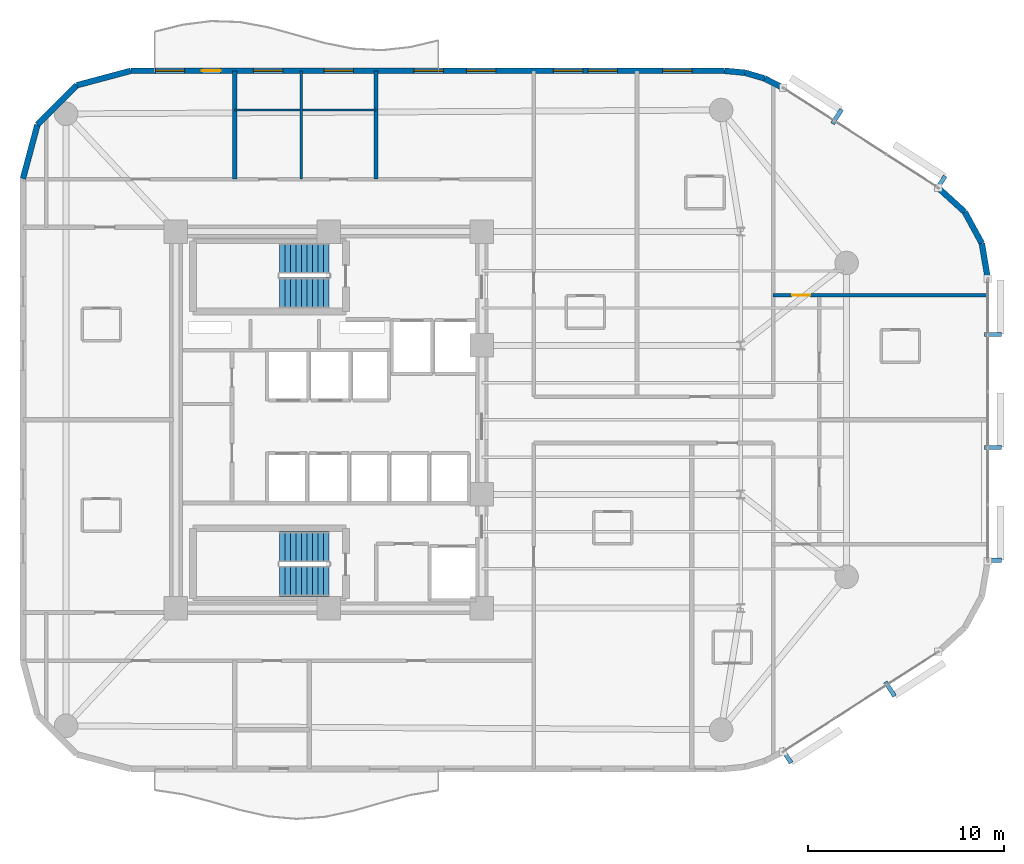
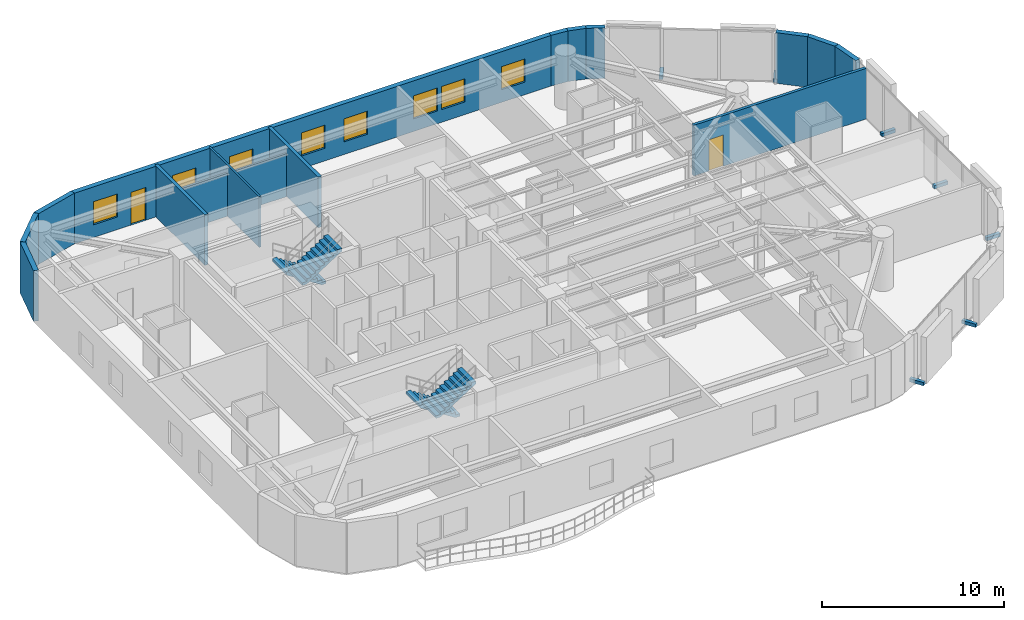
# One storey, part 13 of 15: 15 walls, 8 windows, 7 discrete accessories, 4 stair flights, 2 doors, 10 openings, 2 elements without a shape of their own.
"""IFC4 building model written with IfcOpenShell, lengths in metres."""

from ifc_helpers import new_model, si_unit, direction, frame, frame_2d, origin, origin_2d, place, context, subcontext, project, spatial, polyline, rectangle, outline, extrude, material, layer, layer_set, type_object, element, fill, aggregate, save


model = new_model("IFC4")

# Units and contexts
model_context = context("Model", 3, precision=1e-05, world=origin(), true_north=direction((0.0, 1.0)))
body_context = subcontext(model_context, "Body", "Model", "MODEL_VIEW")
ifc_project = project(units=[si_unit("LENGTHUNIT", "METRE"), si_unit("AREAUNIT", "SQUARE_METRE"), si_unit("VOLUMEUNIT", "CUBIC_METRE"), si_unit("PLANEANGLEUNIT", "RADIAN"), si_unit("MASSUNIT", "GRAM", prefix="KILO")], contexts=[model_context])

# Site, building, storey
site_placement = place(None, origin())
site = spatial("IfcSite", under=ifc_project, at=site_placement, CompositionType="ELEMENT")
building_placement = place(site_placement, origin())
building = spatial("IfcBuilding", under=site, at=building_placement, Name="An Khanh Terracotta Commons", CompositionType="ELEMENT")
storey_placement = place(building_placement, frame((0.0, 0.0, 143.800048828125)))
storey = spatial("IfcBuildingStorey", under=building, at=storey_placement, Name="L37", CompositionType="ELEMENT", Elevation=143.800048828125)

# Wall, opening, door
ifc_material_1 = material(Name="Fire-Rated Gypsum Board on Steel Stud", Category="steel")
ifc_layer_1 = layer(ifc_material_1, 0.179931640625, Name="Fire-Rated Gypsum Board on Steel Stud")
ifc_layer_set_1 = layer_set([ifc_layer_1], Name="Fire-Rated Gypsum Board on Steel Stud")
wall_type_1 = type_object("IfcWallType", Name="WALL-CORR-180", PredefinedType="PARTITIONING", material=ifc_layer_set_1)
wall_1_placement = place(storey_placement, frame((52.050048828125, 30.35009765625, 0.0), z_axis=(0.0, 0.0, 1.0), x_axis=(1.0, 0.0, 0.0)))
wall_1 = element("IfcWall", 1, at=wall_1_placement, inside=storey, type_object=wall_type_1, Name="L37 Interior Partition IW-L37-E009", PredefinedType="PARTITIONING", context=body_context, shape_type="SweptSolid", body=[
    extrude(rectangle(XDim=10.949951171875, YDim=0.179931640625, at=frame_2d((5.47509765625, 0.0))), origin(), (0.0, 0.0, 1.0), 3.39990234375),
])
opening_1_placement = place(wall_1_placement, frame((0.97509765625, 0.0, 0.0)))
opening_1 = element("IfcOpeningElement", 2, at=opening_1_placement, cuts=wall_1, Name="Opening D-RM", PredefinedType="OPENING", context=body_context, shape_type="SweptSolid", body=[
    extrude(rectangle(XDim=0.919921875, YDim=2.10009765625, at=frame_2d((0.4599609375, 1.050048828125))), frame((0.0, 0.099853515625, 0.0), z_axis=(0.0, -1.0, 0.0), x_axis=(1.0, 0.0, 0.0)), (0.0, 0.0, 1.0), 0.199951171875),
])
ifc_material_2 = material(Name="Engineered Hardwood Timber Leaf", Category="wood")
door_type_1 = type_object("IfcDoorType", Name="DOOR-INT-920", OperationType="NOTDEFINED", PredefinedType="DOOR", material=ifc_material_2)
door_1_placement = place(opening_1_placement, origin())
door_1 = element("IfcDoor", 3, at=door_1_placement, inside=storey, type_object=door_type_1, Name="L37 CAPN Quiet Focus Office Door", OperationType="SINGLE_SWING_LEFT", OverallHeight=2.10009765625, OverallWidth=0.919921875, PredefinedType="DOOR", context=body_context, shape_type="SweptSolid", body=[
    extrude(rectangle(XDim=0.919921875, YDim=2.10009765625, at=frame_2d((0.4599609375, 1.050048828125))), frame((0.0, 0.02490234375, 0.0), z_axis=(0.0, -1.0, 0.0), x_axis=(1.0, 0.0, 0.0)), (0.0, 0.0, 1.0), 0.050048828125),
])
fill(opening_1, door_1)

# Walls
ifc_material_3 = material(Name="Precast concrete C40/50", Category="concrete")
ifc_layer_2 = layer(ifc_material_3, 0.300048828125, Name="Precast concrete C40/50")
ifc_layer_set_2 = layer_set([ifc_layer_2], Name="Precast concrete C40/50")
wall_type_2 = type_object("IfcWallType", Name="WALL-EXT-300", PredefinedType="SOLIDWALL", material=ifc_layer_set_2)
wall_2_placement = place(storey_placement, frame((63.0, 31.199951171875, 0.0), z_axis=(0.0, 0.0, 1.0), x_axis=(-0.165724081207, 0.986172159873, 0.0)))
element("IfcWall", 4, at=wall_2_placement, inside=storey, type_object=wall_type_2, Name="L37 Insulated Terracotta Exterior Wall 13", PredefinedType="SOLIDWALL", context=body_context, shape_type="SweptSolid", body=[
    extrude(rectangle(XDim=1.822265625, YDim=0.300048828125, at=frame_2d((0.9111328125, 0.0))), origin(), (0.0, 0.0, 1.0), 3.39990234375),
])
wall_3_placement = place(storey_placement, frame((62.697998046875, 32.9970703125, 0.0), z_axis=(0.0, 0.0, 1.0), x_axis=(-0.478608030646, 0.878028674362, 0.0)))
element("IfcWall", 5, at=wall_3_placement, inside=storey, type_object=wall_type_2, Name="L37 Insulated Terracotta Exterior Wall 14", PredefinedType="SOLIDWALL", context=body_context, shape_type="SweptSolid", body=[
    extrude(rectangle(XDim=1.822021484375, YDim=0.300048828125, at=frame_2d((0.9111328125, 0.0))), origin(), (0.0, 0.0, 1.0), 3.39990234375),
])
wall_4_placement = place(storey_placement, frame((61.825927734375, 34.596923828125, 0.0), z_axis=(0.0, 0.0, 1.0), x_axis=(-0.73947929393, 0.673179302897, 0.0)))
element("IfcWall", 6, at=wall_4_placement, inside=storey, type_object=wall_type_2, Name="L37 Insulated Terracotta Exterior Wall 15", PredefinedType="SOLIDWALL", context=body_context, shape_type="SweptSolid", body=[
    extrude(rectangle(XDim=1.82275390625, YDim=0.300048828125, at=frame_2d((0.911376953125, 0.0))), origin(), (0.0, 0.0, 1.0), 3.39990234375),
])
wall_5_placement = place(storey_placement, frame((52.56005859375, 40.924072265625, 0.0), z_axis=(0.0, 0.0, 1.0), x_axis=(-0.888283247196, 0.459296062198, 0.0)))
element("IfcWall", 7, at=wall_5_placement, inside=storey, type_object=wall_type_2, Name="L37 Insulated Terracotta Exterior Wall 17", PredefinedType="SOLIDWALL", context=body_context, shape_type="SweptSolid", body=[
    extrude(rectangle(XDim=1.047119140625, YDim=0.300048828125, at=frame_2d((0.5234375, 0.0))), origin(), (0.0, 0.0, 1.0), 3.39990234375),
])
wall_6_placement = place(storey_placement, frame((51.6298828125, 41.405029296875, 0.0), z_axis=(0.0, 0.0, 1.0), x_axis=(-0.959528674476, 0.281610942363, 0.0)))
element("IfcWall", 8, at=wall_6_placement, inside=storey, type_object=wall_type_2, Name="L37 Insulated Terracotta Exterior Wall 18", PredefinedType="SOLIDWALL", context=body_context, shape_type="SweptSolid", body=[
    extrude(rectangle(XDim=1.04736328125, YDim=0.300048828125, at=frame_2d((0.523681640625, 0.0))), origin(), (0.0, 0.0, 1.0), 3.39990234375),
])
wall_7_placement = place(storey_placement, frame((50.625, 41.699951171875, 0.0), z_axis=(0.0, 0.0, 1.0), x_axis=(-0.995426089968, 0.095534807324, 0.0)))
element("IfcWall", 9, at=wall_7_placement, inside=storey, type_object=wall_type_2, Name="L37 Insulated Terracotta Exterior Wall 19", PredefinedType="SOLIDWALL", context=body_context, shape_type="SweptSolid", body=[
    extrude(rectangle(XDim=1.0478515625, YDim=0.300048828125, at=frame_2d((0.52392578125, 0.0))), origin(), (0.0, 0.0, 1.0), 3.39990234375),
])

# Wall, openings, door, windows
wall_8_placement = place(storey_placement, frame((49.58203125, 41.800048828125, 0.0), z_axis=(0.0, 0.0, 1.0), x_axis=(-1.0, 0.0, 0.0)))
wall_8 = element("IfcWall", 10, at=wall_8_placement, inside=storey, type_object=wall_type_2, Name="L37 Insulated Terracotta Exterior Wall 20", PredefinedType="SOLIDWALL", context=body_context, shape_type="SweptSolid", body=[
    extrude(rectangle(XDim=30.281982421875, YDim=0.300048828125, at=frame_2d((15.14111328125, 0.0))), origin(), (0.0, 0.0, 1.0), 3.39990234375),
])
opening_2_placement = place(wall_8_placement, frame((25.70703125, 0.0, 0.0)))
opening_2 = element("IfcOpeningElement", 11, at=opening_2_placement, cuts=wall_8, Name="Opening D-BAL", PredefinedType="OPENING", context=body_context, shape_type="SweptSolid", body=[
    extrude(rectangle(XDim=0.949951171875, YDim=2.199951171875, at=frame_2d((0.47509765625, 1.10009765625))), frame((0.0, 0.159912109375, 0.0), z_axis=(0.0, -1.0, 0.0), x_axis=(1.0, 0.0, 0.0)), (0.0, 0.0, 1.0), 0.320068359375),
])
opening_3_placement = place(wall_8_placement, frame((1.660888671875, 0.0, 0.85009765625)))
opening_3 = element("IfcOpeningElement", 12, at=opening_3_placement, cuts=wall_8, Name="Opening W-03", PredefinedType="OPENING", context=body_context, shape_type="SweptSolid", body=[
    extrude(rectangle(XDim=1.5, YDim=1.550048828125, at=frame_2d((0.75, 0.77490234375))), frame((0.0, 0.159912109375, 0.0), z_axis=(0.0, -1.0, 0.0), x_axis=(1.0, 0.0, 0.0)), (0.0, 0.0, 1.0), 0.320068359375),
])
opening_4_placement = place(wall_8_placement, frame((5.47607421875, 0.0, 0.85009765625)))
opening_4 = element("IfcOpeningElement", 13, at=opening_4_placement, cuts=wall_8, Name="Opening W-03", PredefinedType="OPENING", context=body_context, shape_type="SweptSolid", body=[
    extrude(rectangle(XDim=1.5, YDim=1.550048828125, at=frame_2d((0.75, 0.77490234375))), frame((0.0, 0.159912109375, 0.0), z_axis=(0.0, -1.0, 0.0), x_axis=(1.0, 0.0, 0.0)), (0.0, 0.0, 1.0), 0.320068359375),
])
opening_5_placement = place(wall_8_placement, frame((7.22900390625, 0.0, 0.85009765625)))
opening_5 = element("IfcOpeningElement", 14, at=opening_5_placement, cuts=wall_8, Name="Opening W-03", PredefinedType="OPENING", context=body_context, shape_type="SweptSolid", body=[
    extrude(rectangle(XDim=1.5, YDim=1.550048828125, at=frame_2d((0.75, 0.77490234375))), frame((0.0, 0.159912109375, 0.0), z_axis=(0.0, -1.0, 0.0), x_axis=(1.0, 0.0, 0.0)), (0.0, 0.0, 1.0), 0.320068359375),
])
opening_6_placement = place(wall_8_placement, frame((11.6650390625, 0.0, 0.85009765625)))
opening_6 = element("IfcOpeningElement", 15, at=opening_6_placement, cuts=wall_8, Name="Opening W-03", PredefinedType="OPENING", context=body_context, shape_type="SweptSolid", body=[
    extrude(rectangle(XDim=1.5, YDim=1.550048828125, at=frame_2d((0.75, 0.77490234375))), frame((0.0, 0.159912109375, 0.0), z_axis=(0.0, -1.0, 0.0), x_axis=(1.0, 0.0, 0.0)), (0.0, 0.0, 1.0), 0.320068359375),
])
opening_7_placement = place(wall_8_placement, frame((14.34912109375, 0.0, 0.85009765625)))
opening_7 = element("IfcOpeningElement", 16, at=opening_7_placement, cuts=wall_8, Name="Opening W-03", PredefinedType="OPENING", context=body_context, shape_type="SweptSolid", body=[
    extrude(rectangle(XDim=1.5, YDim=1.550048828125, at=frame_2d((0.75, 0.77490234375))), frame((0.0, 0.159912109375, 0.0), z_axis=(0.0, -1.0, 0.0), x_axis=(1.0, 0.0, 0.0)), (0.0, 0.0, 1.0), 0.320068359375),
])
opening_8_placement = place(wall_8_placement, frame((18.931884765625, 0.0, 0.85009765625)))
opening_8 = element("IfcOpeningElement", 17, at=opening_8_placement, cuts=wall_8, Name="Opening W-03", PredefinedType="OPENING", context=body_context, shape_type="SweptSolid", body=[
    extrude(rectangle(XDim=1.5, YDim=1.550048828125, at=frame_2d((0.75, 0.77490234375))), frame((0.0, 0.159912109375, 0.0), z_axis=(0.0, -1.0, 0.0), x_axis=(1.0, 0.0, 0.0)), (0.0, 0.0, 1.0), 0.320068359375),
])
opening_9_placement = place(wall_8_placement, frame((22.531982421875, 0.0, 0.85009765625)))
opening_9 = element("IfcOpeningElement", 18, at=opening_9_placement, cuts=wall_8, Name="Opening W-03", PredefinedType="OPENING", context=body_context, shape_type="SweptSolid", body=[
    extrude(rectangle(XDim=1.5, YDim=1.550048828125, at=frame_2d((0.75, 0.77490234375))), frame((0.0, 0.159912109375, 0.0), z_axis=(0.0, -1.0, 0.0), x_axis=(1.0, 0.0, 0.0)), (0.0, 0.0, 1.0), 0.320068359375),
])
opening_10_placement = place(wall_8_placement, frame((27.531982421875, 0.0, 0.85009765625)))
opening_10 = element("IfcOpeningElement", 19, at=opening_10_placement, cuts=wall_8, Name="Opening W-03", PredefinedType="OPENING", context=body_context, shape_type="SweptSolid", body=[
    extrude(rectangle(XDim=1.5, YDim=1.550048828125, at=frame_2d((0.75, 0.77490234375))), frame((0.0, 0.159912109375, 0.0), z_axis=(0.0, -1.0, 0.0), x_axis=(1.0, 0.0, 0.0)), (0.0, 0.0, 1.0), 0.320068359375),
])
ifc_material_4 = material(Name="Thermally Broken Aluminium and Low-E Glass", Category="aluminium")
door_type_2 = type_object("IfcDoorType", Name="DOOR-BALC-950", OperationType="NOTDEFINED", PredefinedType="DOOR", material=ifc_material_4)
door_2_placement = place(opening_2_placement, origin())
door_2 = element("IfcDoor", 20, at=door_2_placement, inside=storey, type_object=door_type_2, Name="L37 N Wave Balcony Glazed Door", OperationType="SINGLE_SWING_RIGHT", OverallHeight=2.199951171875, OverallWidth=0.949951171875, PredefinedType="DOOR", context=body_context, shape_type="SweptSolid", body=[
    extrude(rectangle(XDim=0.949951171875, YDim=2.199951171875, at=frame_2d((0.47509765625, 1.10009765625))), frame((0.0, 0.02490234375, 0.0), z_axis=(0.0, -1.0, 0.0), x_axis=(1.0, 0.0, 0.0)), (0.0, 0.0, 1.0), 0.050048828125),
])
fill(opening_2, door_2)
window_type = type_object("IfcWindowType", Name="WIN-Z3-1500x1550", PartitioningType="DOUBLE_PANEL_VERTICAL", PredefinedType="WINDOW", material=ifc_material_4)
window_1_placement = place(opening_3_placement, origin())
window_1 = element("IfcWindow", 21, at=window_1_placement, inside=storey, type_object=window_type, Name="L37 Operable Casement Window 20.1", OverallHeight=1.550048828125, OverallWidth=1.5, PartitioningType="DOUBLE_PANEL_VERTICAL", PredefinedType="WINDOW", context=body_context, shape_type="SweptSolid", body=[
    extrude(rectangle(XDim=1.5, YDim=1.550048828125, at=frame_2d((0.75, 0.77490234375))), frame((0.0, 0.030029296875, 0.0), z_axis=(0.0, -1.0, 0.0), x_axis=(1.0, 0.0, 0.0)), (0.0, 0.0, 1.0), 0.06005859375),
])
fill(opening_3, window_1)
window_2_placement = place(opening_4_placement, origin())
window_2 = element("IfcWindow", 22, at=window_2_placement, inside=storey, type_object=window_type, Name="L37 Operable Casement Window 20.2", OverallHeight=1.550048828125, OverallWidth=1.5, PartitioningType="DOUBLE_PANEL_VERTICAL", PredefinedType="WINDOW", context=body_context, shape_type="SweptSolid", body=[
    extrude(rectangle(XDim=1.5, YDim=1.550048828125, at=frame_2d((0.75, 0.77490234375))), frame((0.0, 0.030029296875, 0.0), z_axis=(0.0, -1.0, 0.0), x_axis=(1.0, 0.0, 0.0)), (0.0, 0.0, 1.0), 0.06005859375),
])
fill(opening_4, window_2)
window_3_placement = place(opening_5_placement, origin())
window_3 = element("IfcWindow", 23, at=window_3_placement, inside=storey, type_object=window_type, Name="L37 Operable Casement Window 20.3", OverallHeight=1.550048828125, OverallWidth=1.5, PartitioningType="DOUBLE_PANEL_VERTICAL", PredefinedType="WINDOW", context=body_context, shape_type="SweptSolid", body=[
    extrude(rectangle(XDim=1.5, YDim=1.550048828125, at=frame_2d((0.75, 0.77490234375))), frame((0.0, 0.030029296875, 0.0), z_axis=(0.0, -1.0, 0.0), x_axis=(1.0, 0.0, 0.0)), (0.0, 0.0, 1.0), 0.06005859375),
])
fill(opening_5, window_3)
window_4_placement = place(opening_6_placement, origin())
window_4 = element("IfcWindow", 24, at=window_4_placement, inside=storey, type_object=window_type, Name="L37 Operable Casement Window 20.4", OverallHeight=1.550048828125, OverallWidth=1.5, PartitioningType="DOUBLE_PANEL_VERTICAL", PredefinedType="WINDOW", context=body_context, shape_type="SweptSolid", body=[
    extrude(rectangle(XDim=1.5, YDim=1.550048828125, at=frame_2d((0.75, 0.77490234375))), frame((0.0, 0.030029296875, 0.0), z_axis=(0.0, -1.0, 0.0), x_axis=(1.0, 0.0, 0.0)), (0.0, 0.0, 1.0), 0.06005859375),
])
fill(opening_6, window_4)
window_5_placement = place(opening_7_placement, origin())
window_5 = element("IfcWindow", 25, at=window_5_placement, inside=storey, type_object=window_type, Name="L37 Operable Casement Window 20.5", OverallHeight=1.550048828125, OverallWidth=1.5, PartitioningType="DOUBLE_PANEL_VERTICAL", PredefinedType="WINDOW", context=body_context, shape_type="SweptSolid", body=[
    extrude(rectangle(XDim=1.5, YDim=1.550048828125, at=frame_2d((0.75, 0.77490234375))), frame((0.0, 0.030029296875, 0.0), z_axis=(0.0, -1.0, 0.0), x_axis=(1.0, 0.0, 0.0)), (0.0, 0.0, 1.0), 0.06005859375),
])
fill(opening_7, window_5)
window_6_placement = place(opening_8_placement, origin())
window_6 = element("IfcWindow", 26, at=window_6_placement, inside=storey, type_object=window_type, Name="L37 Operable Casement Window 20.6", OverallHeight=1.550048828125, OverallWidth=1.5, PartitioningType="DOUBLE_PANEL_VERTICAL", PredefinedType="WINDOW", context=body_context, shape_type="SweptSolid", body=[
    extrude(rectangle(XDim=1.5, YDim=1.550048828125, at=frame_2d((0.75, 0.77490234375))), frame((0.0, 0.030029296875, 0.0), z_axis=(0.0, -1.0, 0.0), x_axis=(1.0, 0.0, 0.0)), (0.0, 0.0, 1.0), 0.06005859375),
])
fill(opening_8, window_6)
window_7_placement = place(opening_9_placement, origin())
window_7 = element("IfcWindow", 27, at=window_7_placement, inside=storey, type_object=window_type, Name="L37 Operable Casement Window 20.7", OverallHeight=1.550048828125, OverallWidth=1.5, PartitioningType="DOUBLE_PANEL_VERTICAL", PredefinedType="WINDOW", context=body_context, shape_type="SweptSolid", body=[
    extrude(rectangle(XDim=1.5, YDim=1.550048828125, at=frame_2d((0.75, 0.77490234375))), frame((0.0, 0.030029296875, 0.0), z_axis=(0.0, -1.0, 0.0), x_axis=(1.0, 0.0, 0.0)), (0.0, 0.0, 1.0), 0.06005859375),
])
fill(opening_9, window_7)
window_8_placement = place(opening_10_placement, origin())
window_8 = element("IfcWindow", 28, at=window_8_placement, inside=storey, type_object=window_type, Name="L37 Operable Casement Window 20.8", OverallHeight=1.550048828125, OverallWidth=1.5, PartitioningType="DOUBLE_PANEL_VERTICAL", PredefinedType="WINDOW", context=body_context, shape_type="SweptSolid", body=[
    extrude(rectangle(XDim=1.5, YDim=1.550048828125, at=frame_2d((0.75, 0.77490234375))), frame((0.0, 0.030029296875, 0.0), z_axis=(0.0, -1.0, 0.0), x_axis=(1.0, 0.0, 0.0)), (0.0, 0.0, 1.0), 0.06005859375),
])
fill(opening_10, window_8)

# Walls
wall_9_placement = place(storey_placement, frame((19.300048828125, 41.800048828125, 0.0), z_axis=(0.0, 0.0, 1.0), x_axis=(-0.965908238586, -0.258884674387, 0.0)))
element("IfcWall", 29, at=wall_9_placement, inside=storey, type_object=wall_type_2, Name="L37 Insulated Terracotta Exterior Wall 21", PredefinedType="SOLIDWALL", context=body_context, shape_type="SweptSolid", body=[
    extrude(rectangle(XDim=2.84716796875, YDim=0.300048828125, at=frame_2d((1.423583984375, 0.0))), origin(), (0.0, 0.0, 1.0), 3.39990234375),
])
wall_10_placement = place(storey_placement, frame((16.550048828125, 41.06298828125, 0.0), z_axis=(0.0, 0.0, 1.0), x_axis=(-0.707106781187, -0.707106781187, 0.0)))
element("IfcWall", 30, at=wall_10_placement, inside=storey, type_object=wall_type_2, Name="L37 Insulated Terracotta Exterior Wall 22", PredefinedType="SOLIDWALL", context=body_context, shape_type="SweptSolid", body=[
    extrude(rectangle(XDim=2.8466796875, YDim=0.300048828125, at=frame_2d((1.42333984375, 0.0))), origin(), (0.0, 0.0, 1.0), 3.39990234375),
])
wall_11_placement = place(storey_placement, frame((14.537109375, 39.050048828125, 0.0), z_axis=(0.0, 0.0, 1.0), x_axis=(-0.258884674387, -0.965908238586, 0.0)))
element("IfcWall", 31, at=wall_11_placement, inside=storey, type_object=wall_type_2, Name="L37 Insulated Terracotta Exterior Wall 23", PredefinedType="SOLIDWALL", context=body_context, shape_type="SweptSolid", body=[
    extrude(rectangle(XDim=2.84716796875, YDim=0.300048828125, at=frame_2d((1.423583984375, 0.0))), origin(), (0.0, 0.0, 1.0), 3.39990234375),
])
ifc_material_5 = material(Name="Acoustic Double-Stud Gypsum and Mineral Wool")
ifc_layer_3 = layer(ifc_material_5, 0.219970703125, Name="Acoustic Double-Stud Gypsum and Mineral Wool")
ifc_layer_set_3 = layer_set([ifc_layer_3], Name="Acoustic Double-Stud Gypsum and Mineral Wool")
wall_type_3 = type_object("IfcWallType", Name="WALL-PARTY-220", PredefinedType="PARTITIONING", material=ifc_layer_set_3)
for number, where, z_axis, x_axis, name in (
    (32, (24.60009765625, 36.280029296875, 0.0), (0.0, 0.0, 1.0), (0.0, 1.0, 0.0), "L37 Interior Partition IW-L37-E016"),
    (33, (31.800048828125, 36.280029296875, 0.0), (0.0, 0.0, 1.0), (0.0, 1.0, 0.0), "L37 Interior Partition IW-L37-E019"),
):
    element("IfcWall", number, at=place(storey_placement, frame(where, z_axis=z_axis, x_axis=x_axis)), inside=storey, type_object=wall_type_3, Name=name, PredefinedType="PARTITIONING", context=body_context, shape_type="SweptSolid", body=[
        extrude(rectangle(XDim=5.52001953125, YDim=0.219970703125, at=frame_2d((2.760009765625, 0.0))), origin(), (0.0, 0.0, 1.0), 3.39990234375),
    ])
ifc_material_6 = material(Name="Moisture-Resistant Cement Board Partition")
ifc_layer_4 = layer(ifc_material_6, 0.1201171875, Name="Moisture-Resistant Cement Board Partition")
ifc_layer_set_4 = layer_set([ifc_layer_4], Name="Moisture-Resistant Cement Board Partition")
wall_type_4 = type_object("IfcWallType", Name="WALL-WET-120", PredefinedType="PARTITIONING", material=ifc_layer_set_4)
wall_12_placement = place(storey_placement, frame((24.60009765625, 39.800048828125, 0.0), z_axis=(0.0, 0.0, 1.0), x_axis=(1.0, 0.0, 0.0)))
element("IfcWall", 34, at=wall_12_placement, inside=storey, type_object=wall_type_4, Name="L37 Interior Partition IW-L37-E012", PredefinedType="PARTITIONING", context=body_context, shape_type="SweptSolid", body=[
    extrude(rectangle(XDim=7.199951171875, YDim=0.1201171875, at=frame_2d((3.60009765625, 0.0))), origin(), (0.0, 0.0, 1.0), 2.8818359375),
])
wall_13_placement = place(storey_placement, frame((28.0, 36.280029296875, 0.0), z_axis=(0.0, 0.0, 1.0), x_axis=(0.0, 1.0, 0.0)))
element("IfcWall", 35, at=wall_13_placement, inside=storey, type_object=wall_type_4, Name="L37 Interior Partition IW-L37-E017", PredefinedType="PARTITIONING", context=body_context, shape_type="SweptSolid", body=[
    extrude(rectangle(XDim=5.52001953125, YDim=0.1201171875, at=frame_2d((2.760009765625, 0.0))), origin(), (0.0, 0.0, 1.0), 3.39990234375),
])

# Stair, stair flights
stair_type = type_object("IfcStairType", Name="STAIR-CORE-1550", PredefinedType="HALF_TURN_STAIR", material=ifc_material_3)
stair_1_placement = place(storey_placement, origin())
stair_1 = element("IfcStair", 36, at=stair_1_placement, inside=storey, type_object=stair_type, Name="L37 Core Smokeproof Exit Stair ST-01", PredefinedType="HALF_TURN_STAIR")
stair_flight_type = type_object("IfcStairFlightType", Name="FLIGHT-CORE-1550", PredefinedType="STRAIGHT", material=ifc_material_3)
stair_flight_1_placement = place(storey_placement, frame((29.409912109375, 32.22509765625, 0.0), z_axis=(0.0, 0.0, 1.0), x_axis=(-1.0, 0.0, 0.0)))
stair_flight_1 = element("IfcStairFlight", 37, at=stair_flight_1_placement, type_object=stair_flight_type, Name="ST-01 flight 1", NumberOfRisers=10, NumberOfTreads=9, PredefinedType="STRAIGHT", RiserHeight=0.18, TreadLength=0.28, context=body_context, shape_type="SweptSolid", body=[
    extrude(outline(polyline([(0.0, 0.0), (0.0, 0.179931640625), (0.280029296875, 0.179931640625), (0.280029296875, 0.360107421875), (0.56005859375, 0.360107421875), (0.56005859375, 0.5400390625), (0.840087890625, 0.5400390625), (0.840087890625, 0.719970703125), (1.1201171875, 0.719970703125), (1.1201171875, 0.89990234375), (1.39990234375, 0.89990234375), (1.39990234375, 1.080078125), (1.679931640625, 1.080078125), (1.679931640625, 1.260009765625), (1.9599609375, 1.260009765625), (1.9599609375, 1.43994140625), (2.239990234375, 1.43994140625), (2.239990234375, 1.6201171875), (2.52001953125, 1.6201171875), (2.52001953125, 1.800048828125), (2.52001953125, 1.44189453125), (0.277099609375, 0.0), (0.0, 0.0)])), frame((0.0, 0.77490234375, 0.0), z_axis=(0.0, -1.0, 0.0), x_axis=(1.0, 0.0, 0.0)), (0.0, 0.0, 1.0), 1.550048828125),
])
stair_flight_2_placement = place(storey_placement, frame((26.889892578125, 30.47509765625, 1.800048828125), z_axis=(0.0, 0.0, 1.0), x_axis=(1.0, 0.0, 0.0)))
stair_flight_2 = element("IfcStairFlight", 38, at=stair_flight_2_placement, type_object=stair_flight_type, Name="ST-01 flight 2", NumberOfRisers=10, NumberOfTreads=9, PredefinedType="STRAIGHT", RiserHeight=0.18, TreadLength=0.28, context=body_context, shape_type="SweptSolid", body=[
    extrude(outline(polyline([(0.0, 0.0), (0.0, 0.179931640625), (0.280029296875, 0.179931640625), (0.280029296875, 0.360107421875), (0.56005859375, 0.360107421875), (0.56005859375, 0.5400390625), (0.840087890625, 0.5400390625), (0.840087890625, 0.719970703125), (1.1201171875, 0.719970703125), (1.1201171875, 0.89990234375), (1.39990234375, 0.89990234375), (1.39990234375, 1.080078125), (1.679931640625, 1.080078125), (1.679931640625, 1.260009765625), (1.9599609375, 1.260009765625), (1.9599609375, 1.43994140625), (2.239990234375, 1.43994140625), (2.239990234375, 1.6201171875), (2.52001953125, 1.6201171875), (2.52001953125, 1.800048828125), (2.52001953125, 1.44189453125), (0.277099609375, 0.0), (0.0, 0.0)])), frame((0.0, 0.77490234375, 0.0), z_axis=(0.0, -1.0, 0.0), x_axis=(1.0, 0.0, 0.0)), (0.0, 0.0, 1.0), 1.550048828125),
])
aggregate(stair_1, [stair_flight_1, stair_flight_2])

stair_2_placement = place(storey_placement, origin())
stair_2 = element("IfcStair", 39, at=stair_2_placement, inside=storey, type_object=stair_type, Name="L37 Core Smokeproof Exit Stair ST-02", PredefinedType="HALF_TURN_STAIR")
stair_flight_3_placement = place(storey_placement, frame((29.409912109375, 17.52490234375, 0.0), z_axis=(0.0, 0.0, 1.0), x_axis=(-1.0, 0.0, 0.0)))
stair_flight_3 = element("IfcStairFlight", 40, at=stair_flight_3_placement, type_object=stair_flight_type, Name="ST-02 flight 1", NumberOfRisers=10, NumberOfTreads=9, PredefinedType="STRAIGHT", RiserHeight=0.18, TreadLength=0.28, context=body_context, shape_type="SweptSolid", body=[
    extrude(outline(polyline([(0.0, 0.0), (0.0, 0.179931640625), (0.280029296875, 0.179931640625), (0.280029296875, 0.360107421875), (0.56005859375, 0.360107421875), (0.56005859375, 0.5400390625), (0.840087890625, 0.5400390625), (0.840087890625, 0.719970703125), (1.1201171875, 0.719970703125), (1.1201171875, 0.89990234375), (1.39990234375, 0.89990234375), (1.39990234375, 1.080078125), (1.679931640625, 1.080078125), (1.679931640625, 1.260009765625), (1.9599609375, 1.260009765625), (1.9599609375, 1.43994140625), (2.239990234375, 1.43994140625), (2.239990234375, 1.6201171875), (2.52001953125, 1.6201171875), (2.52001953125, 1.800048828125), (2.52001953125, 1.44189453125), (0.277099609375, 0.0), (0.0, 0.0)])), frame((0.0, 0.77490234375, 0.0), z_axis=(0.0, -1.0, 0.0), x_axis=(1.0, 0.0, 0.0)), (0.0, 0.0, 1.0), 1.550048828125),
])
stair_flight_4_placement = place(storey_placement, frame((26.889892578125, 15.77490234375, 1.800048828125), z_axis=(0.0, 0.0, 1.0), x_axis=(1.0, 0.0, 0.0)))
stair_flight_4 = element("IfcStairFlight", 41, at=stair_flight_4_placement, type_object=stair_flight_type, Name="ST-02 flight 2", NumberOfRisers=10, NumberOfTreads=9, PredefinedType="STRAIGHT", RiserHeight=0.18, TreadLength=0.28, context=body_context, shape_type="SweptSolid", body=[
    extrude(outline(polyline([(0.0, 0.0), (0.0, 0.179931640625), (0.280029296875, 0.179931640625), (0.280029296875, 0.360107421875), (0.56005859375, 0.360107421875), (0.56005859375, 0.5400390625), (0.840087890625, 0.5400390625), (0.840087890625, 0.719970703125), (1.1201171875, 0.719970703125), (1.1201171875, 0.89990234375), (1.39990234375, 0.89990234375), (1.39990234375, 1.080078125), (1.679931640625, 1.080078125), (1.679931640625, 1.260009765625), (1.9599609375, 1.260009765625), (1.9599609375, 1.43994140625), (2.239990234375, 1.43994140625), (2.239990234375, 1.6201171875), (2.52001953125, 1.6201171875), (2.52001953125, 1.800048828125), (2.52001953125, 1.44189453125), (0.277099609375, 0.0), (0.0, 0.0)])), frame((0.0, 0.77490234375, 0.0), z_axis=(0.0, -1.0, 0.0), x_axis=(1.0, 0.0, 0.0)), (0.0, 0.0, 1.0), 1.550048828125),
])
aggregate(stair_2, [stair_flight_3, stair_flight_4])

# Discrete accessories
ifc_material_7 = material(Name="Stainless Steel Grade 316L", Category="steel")
discrete_accessory_type = type_object("IfcDiscreteAccessoryType", Name="Stainless Outrigger Facade Bracket", PredefinedType="BRACKET", material=ifc_material_7)
for number, where, z_axis, x_axis, name in (
    (42, (52.73291015625, 6.8720703125, 0.06982421875), (0.0, 0.0, 1.0), (0.840702081986, 0.541497931062, 0.0), "L37 Terracotta Screen Outrigger Bracket 1"),
    (43, (58.011962890625, 10.27197265625, 0.06982421875), (0.0, 0.0, 1.0), (0.840702081986, 0.541497931062, 0.0), "L37 Terracotta Screen Outrigger Bracket 3"),
    (44, (63.264892578125, 16.8349609375, 0.06982421875), (0.0, 0.0, 1.0), (0.0, 1.0, 0.0), "L37 Terracotta Screen Outrigger Bracket 1"),
    (45, (63.264892578125, 22.594970703125, 0.06982421875), (0.0, 0.0, 1.0), (0.0, 1.0, 0.0), "L37 Terracotta Screen Outrigger Bracket 3"),
    (46, (63.264892578125, 28.35498046875, 0.06982421875), (0.0, 0.0, 1.0), (0.0, 1.0, 0.0), "L37 Terracotta Screen Outrigger Bracket 5"),
    (47, (60.592041015625, 36.06591796875, 0.06982421875), (0.0, 0.0, 1.0), (-0.840702081986, 0.541497931062, 0.0), "L37 Terracotta Screen Outrigger Bracket 1"),
    (48, (55.31298828125, 39.466064453125, 0.06982421875), (0.0, 0.0, 1.0), (-0.840702081986, 0.541497931062, 0.0), "L37 Terracotta Screen Outrigger Bracket 3"),
):
    element("IfcDiscreteAccessory", number, at=place(storey_placement, frame(where, z_axis=z_axis, x_axis=x_axis)), inside=storey, type_object=discrete_accessory_type, Name=name, PredefinedType="BRACKET", context=body_context, shape_type="SweptSolid", body=[
        extrude(rectangle(XDim=0.219970703125, YDim=0.8701171875, at=origin_2d()), origin(), (0.0, 0.0, 1.0), 0.219970703125),
    ])

save(model, "model.ifc")
